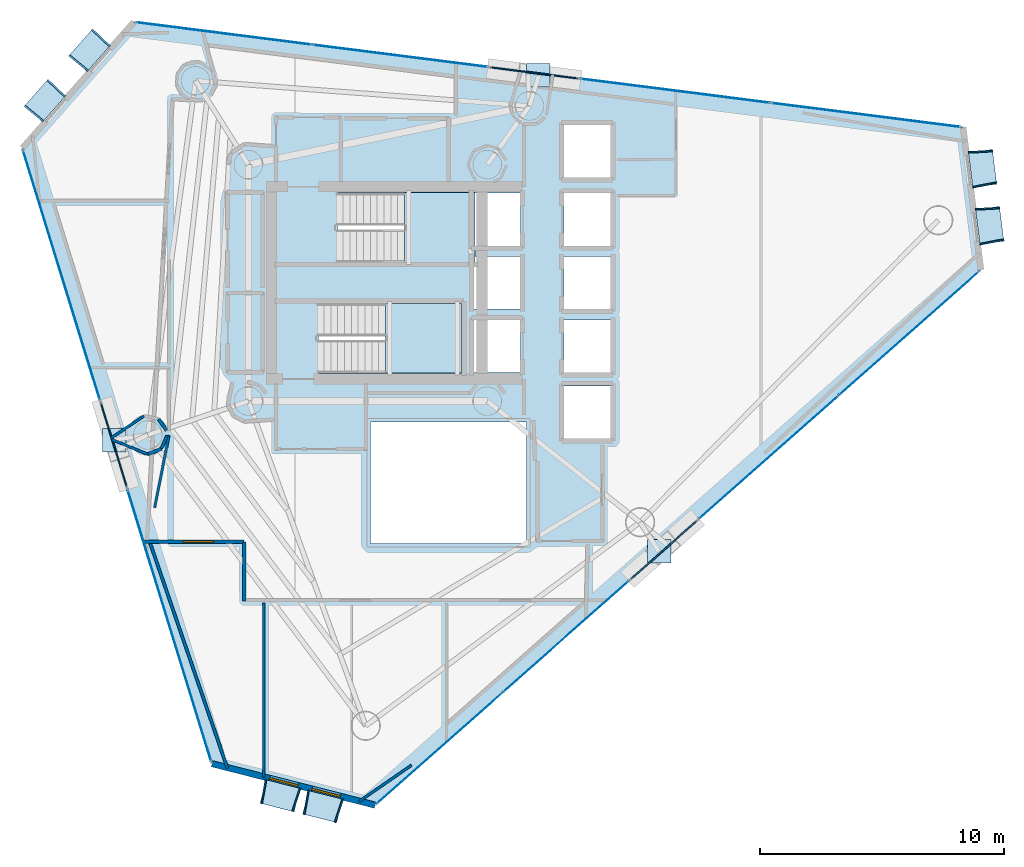
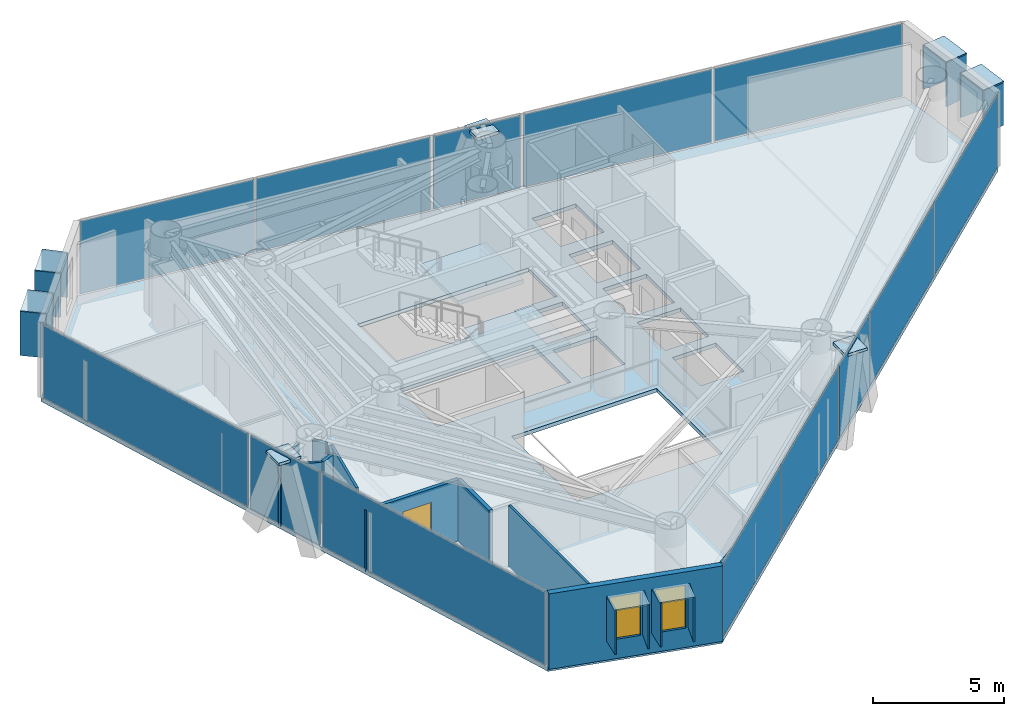
# One storey, part 17 of 23: 34 plates, 12 walls, 3 slabs, 2 windows, 1 door, 3 openings, 11 elements without a shape of their own.
"""IFC4 building model written with IfcOpenShell, lengths in metres."""

from ifc_helpers import new_model, si_unit, direction, frame, frame_2d, origin, origin_2d, place, context, subcontext, project, spatial, polyline, rectangle, outline, extrude, material, layer, layer_set, type_object, element, fill, aggregate, save


model = new_model("IFC4")

# Units and contexts
model_context = context("Model", 3, precision=1e-05, world=origin(), true_north=direction((0.0, 1.0)))
body_context = subcontext(model_context, "Body", "Model", "MODEL_VIEW")
ifc_project = project(units=[si_unit("LENGTHUNIT", "METRE"), si_unit("AREAUNIT", "SQUARE_METRE"), si_unit("VOLUMEUNIT", "CUBIC_METRE"), si_unit("PLANEANGLEUNIT", "RADIAN"), si_unit("MASSUNIT", "GRAM", prefix="KILO")], contexts=[model_context])

# Site, building, storey
site_placement = place(None, origin())
site = spatial("IfcSite", under=ifc_project, at=site_placement, CompositionType="ELEMENT")
building_placement = place(site_placement, origin())
building = spatial("IfcBuilding", under=site, at=building_placement, Name="Qianvela Tower", CompositionType="ELEMENT")
storey_placement = place(building_placement, frame((0.0, 0.0, 218.800048828125)))
storey = spatial("IfcBuildingStorey", under=building, at=storey_placement, Name="L56", CompositionType="ELEMENT", Elevation=218.800048828125)

# Curtain wall, plate
ifc_material_1 = material(Name="Anodised Architectural Aluminium and Insulated Spandrel Panel", Category="aluminium")
ifc_layer_1 = layer(ifc_material_1, 0.179931640625)
ifc_layer_set_1 = layer_set([ifc_layer_1], Name="Anodised Architectural Aluminium and Insulated Spandrel Panel")
curtain_wall_type_1 = type_object("IfcCurtainWallType", Name="CW-BRACEBAY", PredefinedType="USERDEFINED", material=ifc_layer_set_1)
curtain_wall_1_placement = place(storey_placement, origin())
curtain_wall_1 = element("IfcCurtainWall", 1, at=curtain_wall_1_placement, inside=storey, type_object=curtain_wall_type_1, Name="L56 CW-BRACEBAY Curtain Wall 02B", ObjectType="CURTAIN_WALL_SYSTEM", PredefinedType="USERDEFINED")
ifc_material_2 = material(Name="Insulated Aluminium Spandrel Panel with Mineral-Wool Backpan", Category="aluminium")
ifc_layer_2 = layer(ifc_material_2, 0.06005859375)
ifc_layer_set_2 = layer_set([ifc_layer_2], Name="Insulated Aluminium Spandrel Panel with Mineral-Wool Backpan")
plate_type_1 = type_object("IfcPlateType", Name="CW-BRACEBAY-PNL", PredefinedType="CURTAIN_PANEL", material=ifc_layer_set_2)
plate_1_placement = place(storey_placement, frame((40.323974609375, 37.312744140625, 0.06494140625), z_axis=(0.0, 0.0, 1.0), x_axis=(-0.992043086313, 0.125898828027, 0.0)))
plate_1 = element("IfcPlate", 2, at=plate_1_placement, type_object=plate_type_1, Name="CW-9 panel 1.1", PredefinedType="CURTAIN_PANEL", context=body_context, shape_type="SweptSolid", body=[
    extrude(rectangle(XDim=3.60009765625, YDim=0.06005859375, at=origin_2d()), origin(), (0.0, 0.0, 1.0), 3.389892578125),
])
aggregate(curtain_wall_1, [plate_1])

curtain_wall_2_placement = place(storey_placement, origin())
curtain_wall_2 = element("IfcCurtainWall", 3, at=curtain_wall_2_placement, inside=storey, type_object=curtain_wall_type_1, Name="L56 CW-BRACEBAY Curtain Wall 04B", ObjectType="CURTAIN_WALL_SYSTEM", PredefinedType="USERDEFINED")
plate_2_placement = place(storey_placement, frame((23.078369140625, 22.0517578125, 0.06494140625), z_axis=(0.0, 0.0, 1.0), x_axis=(0.29436579712, -0.955692825905, 0.0)))
plate_2 = element("IfcPlate", 4, at=plate_2_placement, type_object=plate_type_1, Name="CW-9 panel 1.1", PredefinedType="CURTAIN_PANEL", context=body_context, shape_type="SweptSolid", body=[
    extrude(rectangle(XDim=3.60986328125, YDim=0.06005859375, at=origin_2d()), origin(), (0.0, 0.0, 1.0), 3.389892578125),
])
aggregate(curtain_wall_2, [plate_2])

curtain_wall_3_placement = place(storey_placement, origin())
curtain_wall_3 = element("IfcCurtainWall", 5, at=curtain_wall_3_placement, inside=storey, type_object=curtain_wall_type_1, Name="L56 CW-BRACEBAY Curtain Wall 06B", ObjectType="CURTAIN_WALL_SYSTEM", PredefinedType="USERDEFINED")
plate_3_placement = place(storey_placement, frame((45.641845703125, 17.74365234375, 0.06494140625), z_axis=(0.0, 0.0, 1.0), x_axis=(0.749269533703, 0.662265177904, 0.0)))
plate_3 = element("IfcPlate", 6, at=plate_3_placement, type_object=plate_type_1, Name="CW-9 panel 1.1", PredefinedType="CURTAIN_PANEL", context=body_context, shape_type="SweptSolid", body=[
    extrude(rectangle(XDim=3.610107421875, YDim=0.06005859375, at=origin_2d()), origin(), (0.0, 0.0, 1.0), 3.389892578125),
])
aggregate(curtain_wall_3, [plate_3])

# Curtain wall, plates
ifc_material_3 = material(Name="Anodised Architectural Aluminium and Low-E Glass", Category="aluminium")
ifc_layer_3 = layer(ifc_material_3, 0.159912109375)
ifc_layer_set_3 = layer_set([ifc_layer_3], Name="Anodised Architectural Aluminium and Low-E Glass")
curtain_wall_type_2 = type_object("IfcCurtainWallType", Name="CW-COLIV-Z56", PredefinedType="USERDEFINED", material=ifc_layer_set_3)
curtain_wall_4_placement = place(storey_placement, origin())
curtain_wall_4 = element("IfcCurtainWall", 7, at=curtain_wall_4_placement, inside=storey, type_object=curtain_wall_type_2, Name="L56 CW-COLIV-Z56 Curtain Wall 02A", ObjectType="CURTAIN_WALL_SYSTEM", PredefinedType="USERDEFINED")
ifc_material_4 = material(Name="Double-Silver Low-E Insulated Glass", Category="glass")
ifc_layer_4 = layer(ifc_material_4, 0.028076171875)
ifc_layer_set_4 = layer_set([ifc_layer_4], Name="Double-Silver Low-E Insulated Glass")
plate_type_2 = type_object("IfcPlateType", Name="CW-COLIV-Z56-PNL", PredefinedType="CURTAIN_PANEL", material=ifc_layer_set_4)
plate_4_placement = place(storey_placement, frame((53.9287109375, 35.586181640625, 0.06005859375), z_axis=(0.0, 0.0, 1.0), x_axis=(-0.992042428774, 0.125904009122, 0.0)))
plate_4 = element("IfcPlate", 8, at=plate_4_placement, type_object=plate_type_2, Name="CW-5 panel 1.1", PredefinedType="CURTAIN_PANEL", context=body_context, shape_type="SweptSolid", body=[
    extrude(rectangle(XDim=7.8125, YDim=0.028076171875, at=origin_2d()), origin(), (0.0, 0.0, 1.0), 3.39990234375),
])
plate_5_placement = place(storey_placement, frame((46.11376953125, 36.577880859375, 0.06005859375), z_axis=(0.0, 0.0, 1.0), x_axis=(-0.992042428774, 0.125904009122, 0.0)))
plate_5 = element("IfcPlate", 9, at=plate_5_placement, type_object=plate_type_2, Name="CW-5 panel 2.1", PredefinedType="CURTAIN_PANEL", context=body_context, shape_type="SweptSolid", body=[
    extrude(rectangle(XDim=7.8125, YDim=0.028076171875, at=origin_2d()), origin(), (0.0, 0.0, 1.0), 3.39990234375),
])
aggregate(curtain_wall_4, [plate_4, plate_5])

curtain_wall_5_placement = place(storey_placement, origin())
curtain_wall_5 = element("IfcCurtainWall", 10, at=curtain_wall_5_placement, inside=storey, type_object=curtain_wall_type_2, Name="L56 CW-COLIV-Z56 Curtain Wall 02C", ObjectType="CURTAIN_WALL_SYSTEM", PredefinedType="USERDEFINED")
plate_6_placement = place(storey_placement, frame((34.826904296875, 38.01025390625, 0.06005859375), z_axis=(0.0, 0.0, 1.0), x_axis=(-0.992042615234, 0.125902539925, 0.0)))
plate_6 = element("IfcPlate", 11, at=plate_6_placement, type_object=plate_type_2, Name="CW-5 panel 1.1", PredefinedType="CURTAIN_PANEL", context=body_context, shape_type="SweptSolid", body=[
    extrude(rectangle(XDim=7.222412109375, YDim=0.028076171875, at=origin_2d()), origin(), (0.0, 0.0, 1.0), 3.39990234375),
])
plate_7_placement = place(storey_placement, frame((27.597412109375, 38.927734375, 0.06005859375), z_axis=(0.0, 0.0, 1.0), x_axis=(-0.992042615234, 0.125902539925, 0.0)))
plate_7 = element("IfcPlate", 12, at=plate_7_placement, type_object=plate_type_2, Name="CW-5 panel 2.1", PredefinedType="CURTAIN_PANEL", context=body_context, shape_type="SweptSolid", body=[
    extrude(rectangle(XDim=7.222412109375, YDim=0.028076171875, at=origin_2d()), origin(), (0.0, 0.0, 1.0), 3.39990234375),
])
aggregate(curtain_wall_5, [plate_6, plate_7])

# Curtain wall, plate
curtain_wall_6_placement = place(storey_placement, origin())
curtain_wall_6 = element("IfcCurtainWall", 13, at=curtain_wall_6_placement, inside=storey, type_object=curtain_wall_type_2, Name="L56 CW-COLIV-Z56 Curtain Wall 04A", ObjectType="CURTAIN_WALL_SYSTEM", PredefinedType="USERDEFINED")
plate_8_placement = place(storey_placement, frame((20.935302734375, 29.00927734375, 0.06005859375), z_axis=(0.0, 0.0, 1.0), x_axis=(0.294379384056, -0.955688640846, 0.0)))
plate_8 = element("IfcPlate", 14, at=plate_8_placement, type_object=plate_type_2, Name="CW-5 panel 1.1", PredefinedType="CURTAIN_PANEL", context=body_context, shape_type="SweptSolid", body=[
    extrude(rectangle(XDim=10.68994140625, YDim=0.028076171875, at=origin_2d()), origin(), (0.0, 0.0, 1.0), 3.39990234375),
])
aggregate(curtain_wall_6, [plate_8])

curtain_wall_7_placement = place(storey_placement, origin())
curtain_wall_7 = element("IfcCurtainWall", 15, at=curtain_wall_7_placement, inside=storey, type_object=curtain_wall_type_2, Name="L56 CW-COLIV-Z56 Curtain Wall 04C", ObjectType="CURTAIN_WALL_SYSTEM", PredefinedType="USERDEFINED")
plate_9_placement = place(storey_placement, frame((25.3603515625, 14.643310546875, 0.06005859375), z_axis=(0.0, 0.0, 1.0), x_axis=(0.294376732083, -0.955689457726, 0.0)))
plate_9 = element("IfcPlate", 16, at=plate_9_placement, type_object=plate_type_2, Name="CW-5 panel 1.1", PredefinedType="CURTAIN_PANEL", context=body_context, shape_type="SweptSolid", body=[
    extrude(rectangle(XDim=11.63427734375, YDim=0.028076171875, at=origin_2d()), origin(), (0.0, 0.0, 1.0), 3.39990234375),
])
aggregate(curtain_wall_7, [plate_9])

# Curtain wall, plates
curtain_wall_8_placement = place(storey_placement, origin())
curtain_wall_8 = element("IfcCurtainWall", 17, at=curtain_wall_8_placement, inside=storey, type_object=curtain_wall_type_2, Name="L56 CW-COLIV-Z56 Curtain Wall 06A", ObjectType="CURTAIN_WALL_SYSTEM", PredefinedType="USERDEFINED")
plate_10_placement = place(storey_placement, frame((36.447265625, 9.61669921875, 0.06005859375), z_axis=(0.0, 0.0, 1.0), x_axis=(0.749266523819, 0.662268583192, 0.0)))
plate_10 = element("IfcPlate", 18, at=plate_10_placement, type_object=plate_type_2, Name="CW-5 panel 1.1", PredefinedType="CURTAIN_PANEL", context=body_context, shape_type="SweptSolid", body=[
    extrude(rectangle(XDim=6.847412109375, YDim=0.028076171875, at=origin_2d()), origin(), (0.0, 0.0, 1.0), 3.39990234375),
])
plate_11_placement = place(storey_placement, frame((41.626708984375, 14.19482421875, 0.06005859375), z_axis=(0.0, 0.0, 1.0), x_axis=(0.749266523819, 0.662268583192, 0.0)))
plate_11 = element("IfcPlate", 19, at=plate_11_placement, type_object=plate_type_2, Name="CW-5 panel 2.1", PredefinedType="CURTAIN_PANEL", context=body_context, shape_type="SweptSolid", body=[
    extrude(rectangle(XDim=6.847412109375, YDim=0.028076171875, at=origin_2d()), origin(), (0.0, 0.0, 1.0), 3.39990234375),
])
aggregate(curtain_wall_8, [plate_10, plate_11])

curtain_wall_9_placement = place(storey_placement, origin())
curtain_wall_9 = element("IfcCurtainWall", 20, at=curtain_wall_9_placement, inside=storey, type_object=curtain_wall_type_2, Name="L56 CW-COLIV-Z56 Curtain Wall 06C", ObjectType="CURTAIN_WALL_SYSTEM", PredefinedType="USERDEFINED")
plate_12_placement = place(storey_placement, frame((49.9462890625, 21.54833984375, 0.06005859375), z_axis=(0.0, 0.0, 1.0), x_axis=(0.749266206508, 0.662268942187, 0.0)))
plate_12 = element("IfcPlate", 21, at=plate_12_placement, type_object=plate_type_2, Name="CW-5 panel 1.1", PredefinedType="CURTAIN_PANEL", context=body_context, shape_type="SweptSolid", body=[
    extrude(rectangle(XDim=7.619873046875, YDim=0.028076171875, at=origin_2d()), origin(), (0.0, 0.0, 1.0), 3.39990234375),
])
plate_13_placement = place(storey_placement, frame((55.704345703125, 26.637939453125, 0.06005859375), z_axis=(0.0, 0.0, 1.0), x_axis=(0.749266206508, 0.662268942187, 0.0)))
plate_13 = element("IfcPlate", 22, at=plate_13_placement, type_object=plate_type_2, Name="CW-5 panel 2.1", PredefinedType="CURTAIN_PANEL", context=body_context, shape_type="SweptSolid", body=[
    extrude(rectangle(XDim=7.619873046875, YDim=0.028076171875, at=origin_2d()), origin(), (0.0, 0.0, 1.0), 3.39990234375),
])
aggregate(curtain_wall_9, [plate_12, plate_13])

# Plates
ifc_material_5 = material(Name="Steel Q420GJC", Category="steel")
ifc_layer_5 = layer(ifc_material_5, 0.1298828125)
ifc_layer_set_5 = layer_set([ifc_layer_5], Name="Steel Q420GJC")
plate_type_3 = type_object("IfcPlateType", Name="PT-ENDCAP-130", PredefinedType="USERDEFINED", material=ifc_layer_set_5)
for number, where, z_axis, x_axis, name in (
    (23, (40.4912109375, 37.2109375, 3.20947265625), (0.0, 0.0, 1.0), (1.0, 0.0, 0.0), "L56 Hollow Section End Cap Plate B"),
    (24, (23.10205078125, 22.246826171875, 3.20947265625), (0.0, 0.0, 1.0), (1.0, 0.0, 0.0), "L56 Hollow Section End Cap Plate B"),
    (25, (45.45751953125, 17.6875, 3.20947265625), (0.0, 0.0, 1.0), (1.0, 0.0, 0.0), "L56 Hollow Section End Cap Plate B"),
):
    element("IfcPlate", number, at=place(storey_placement, frame(where, z_axis=z_axis, x_axis=x_axis)), inside=storey, type_object=plate_type_3, Name=name, ObjectType="END_CAP", PredefinedType="USERDEFINED", context=body_context, shape_type="SweptSolid", body=[
        extrude(rectangle(XDim=0.969970703125, YDim=0.969970703125, at=origin_2d()), origin(), (0.0, 0.0, 1.0), 0.1298828125),
    ])

# Slab
ifc_material_6 = material(Name="Concrete C40", Category="concrete")
ifc_layer_6 = layer(ifc_material_6, 0.179931640625)
ifc_layer_set_6 = layer_set([ifc_layer_6], Name="Concrete C40")
slab_type_1 = type_object("IfcSlabType", Name="SL-FLOOR-180", PredefinedType="FLOOR", material=ifc_layer_set_6)
slab_1_placement = place(storey_placement, frame((0.0, 0.0, -0.179931640625)))
element("IfcSlab", 26, at=slab_1_placement, inside=storey, type_object=slab_type_1, Name="L56 Composite Structural Floor Slab", PredefinedType="FLOOR", context=body_context, shape_type="SweptSolid", body=[
    extrude(outline(polyline([(58.645263671875, 29.2373046875), (57.91796875, 35.079833984375), (23.90087890625, 39.39697265625), (19.328125, 34.227294921875), (27.106689453125, 8.97412109375), (33.7958984375, 7.273193359375), (58.645263671875, 29.2373046875)]), holes=[polyline([(40.0, 23.0), (33.60009765625, 23.0), (33.60009765625, 18.0), (40.0, 18.0), (40.0, 23.0)]), polyline([(39.760009765625, 27.179931640625), (37.840087890625, 27.179931640625), (37.840087890625, 25.02001953125), (39.760009765625, 25.02001953125), (39.760009765625, 27.179931640625)]), polyline([(37.35009765625, 27.860107421875), (31.469970703125, 27.860107421875), (31.469970703125, 25.0), (37.35009765625, 25.0), (37.35009765625, 27.860107421875)]), polyline([(37.840087890625, 27.6201171875), (39.760009765625, 27.6201171875), (39.760009765625, 29.780029296875), (37.89990234375, 29.780029296875), (37.89990234375, 30.219970703125), (39.760009765625, 30.219970703125), (39.760009765625, 32.3798828125), (37.89990234375, 32.3798828125), (37.89990234375, 32.39990234375), (32.25, 32.39990234375), (32.25, 29.5400390625), (37.840087890625, 29.5400390625), (37.840087890625, 27.6201171875)]), polyline([(43.4599609375, 22.320068359375), (43.4599609375, 24.47998046875), (41.5400390625, 24.47998046875), (41.5400390625, 22.320068359375), (43.4599609375, 22.320068359375)]), polyline([(43.4599609375, 25.02001953125), (43.4599609375, 27.179931640625), (41.5400390625, 27.179931640625), (41.5400390625, 25.02001953125), (43.4599609375, 25.02001953125)]), polyline([(43.4599609375, 29.780029296875), (41.5400390625, 29.780029296875), (41.5400390625, 27.6201171875), (43.4599609375, 27.6201171875), (43.4599609375, 29.780029296875)]), polyline([(43.4599609375, 30.219970703125), (43.4599609375, 32.3798828125), (41.5400390625, 32.3798828125), (41.5400390625, 30.219970703125), (43.4599609375, 30.219970703125)]), polyline([(43.4599609375, 33.02001953125), (43.4599609375, 35.179931640625), (41.5400390625, 35.179931640625), (41.5400390625, 33.02001953125), (43.4599609375, 33.02001953125)])]), origin(), (0.0, 0.0, 1.0), 0.179931640625),
])

# Stair, slab
ifc_material_7 = material(Name="Concrete C40", Category="concrete")
stair_type = type_object("IfcStairType", Name="ST-DOGLEG-1350-R168-N22", PredefinedType="HALF_TURN_STAIR", material=ifc_material_7)
stair_1_placement = place(storey_placement, origin())
stair_1 = element("IfcStair", 27, at=stair_1_placement, inside=storey, type_object=stair_type, Name="L56 Smoke-Proof Core Stair ST-1", PredefinedType="HALF_TURN_STAIR")
ifc_material_8 = material(Name="Concrete C40", Category="concrete")
ifc_layer_7 = layer(ifc_material_8, 0.199951171875)
ifc_layer_set_7 = layer_set([ifc_layer_7], Name="Concrete C40")
slab_type_2 = type_object("IfcSlabType", Name="SL-STAIR-LANDING-200", PredefinedType="LANDING", material=ifc_layer_set_7)
slab_2_placement = place(storey_placement, frame((0.0, 0.0, 1.64990234375)))
slab_2 = element("IfcSlab", 28, at=slab_2_placement, type_object=slab_type_2, Name="ST-1 landing 1", PredefinedType="LANDING", context=body_context, shape_type="SweptSolid", body=[
    extrude(outline(polyline([(35.0, 29.5400390625), (37.89990234375, 29.5400390625), (37.89990234375, 32.39990234375), (35.0, 32.39990234375), (35.0, 29.5400390625)])), origin(), (0.0, 0.0, 1.0), 0.199951171875),
])
aggregate(stair_1, [slab_2])

stair_2_placement = place(storey_placement, origin())
stair_2 = element("IfcStair", 29, at=stair_2_placement, inside=storey, type_object=stair_type, Name="L56 Smoke-Proof Core Stair ST-2", PredefinedType="HALF_TURN_STAIR")
slab_3_placement = place(storey_placement, frame((0.0, 0.0, 1.64990234375)))
slab_3 = element("IfcSlab", 30, at=slab_3_placement, type_object=slab_type_2, Name="ST-2 landing 1", PredefinedType="LANDING", context=body_context, shape_type="SweptSolid", body=[
    extrude(outline(polyline([(34.219970703125, 25.0), (37.35009765625, 25.0), (37.35009765625, 27.860107421875), (34.219970703125, 27.860107421875), (34.219970703125, 25.0)])), origin(), (0.0, 0.0, 1.0), 0.199951171875),
])
aggregate(stair_2, [slab_3])

# Plates
ifc_material_9 = material(Name="Vitrified Architectural Terracotta Panel", Category="masonry")
ifc_layer_8 = layer(ifc_material_9, 0.06005859375)
ifc_layer_set_8 = layer_set([ifc_layer_8], Name="Vitrified Architectural Terracotta Panel")
plate_type_4 = type_object("IfcPlateType", Name="TERRACOTTA-SUNSHADE-HOOD-FOLD-A", PredefinedType="USERDEFINED", material=ifc_layer_set_8)
for number, where, z_axis, x_axis, name in (
    (31, (59.007568359375, 31.062255859375, 2.909912109375), (0.0, 0.0, 1.0), (-0.123547786235, 0.992338623916, 0.0), "L56 Terracotta Sunshade Hood FOLD-A"),
    (32, (58.716552734375, 33.3994140625, 2.909912109375), (0.0, 0.0, 1.0), (-0.123547786235, 0.992338623916, 0.0), "L56 Terracotta Sunshade Hood FOLD-A"),
    (33, (29.899658203125, 7.66015625, 2.909912109375), (0.0, 0.0, 1.0), (0.969162132949, -0.246423943757, 0.0), "L56 Terracotta Sunshade Hood FOLD-A"),
    (34, (31.64501953125, 7.216552734375, 2.909912109375), (0.0, 0.0, 1.0), (0.969162132949, -0.246423943757, 0.0), "L56 Terracotta Sunshade Hood FOLD-A"),
):
    element("IfcPlate", number, at=place(storey_placement, frame(where, z_axis=z_axis, x_axis=x_axis)), inside=storey, type_object=plate_type_4, Name=name, ObjectType="SUNSHADE", PredefinedType="USERDEFINED", context=body_context, shape_type="SweptSolid", body=[
        extrude(rectangle(XDim=1.43994140625, YDim=0.989990234375, at=origin_2d()), origin(), (0.0, 0.0, 1.0), 0.06005859375),
    ])
ifc_material_10 = material(Name="Vitrified Architectural Terracotta Panel", Category="masonry")
ifc_layer_9 = layer(ifc_material_10, 0.070068359375)
ifc_layer_set_9 = layer_set([ifc_layer_9], Name="Vitrified Architectural Terracotta Panel")
plate_type_5 = type_object("IfcPlateType", Name="TERRACOTTA-SUNSHADE-HOOD-FOLD-C", PredefinedType="USERDEFINED", material=ifc_layer_set_9)
for number, where, z_axis, x_axis, name in (
    (35, (22.0908203125, 38.233642578125, 2.909912109375), (0.0, 0.0, 1.0), (-0.662541614123, -0.749025106091, 0.0), "L56 Terracotta Sunshade Hood FOLD-C"),
    (36, (20.26171875, 36.165771484375, 2.909912109375), (0.0, 0.0, 1.0), (-0.662541614123, -0.749025106091, 0.0), "L56 Terracotta Sunshade Hood FOLD-C"),
):
    element("IfcPlate", number, at=place(storey_placement, frame(where, z_axis=z_axis, x_axis=x_axis)), inside=storey, type_object=plate_type_5, Name=name, ObjectType="SUNSHADE", PredefinedType="USERDEFINED", context=body_context, shape_type="SweptSolid", body=[
        extrude(rectangle(XDim=1.43994140625, YDim=0.989990234375, at=origin_2d()), origin(), (0.0, 0.0, 1.0), 0.06005859375),
    ])
ifc_material_11 = material(Name="Vitrified Architectural Terracotta Side Fin Panel", Category="masonry")
ifc_layer_10 = layer(ifc_material_11, 0.06494140625)
ifc_layer_set_10 = layer_set([ifc_layer_10], Name="Vitrified Architectural Terracotta Side Fin Panel")
plate_type_6 = type_object("IfcPlateType", Name="TERRACOTTA-SUNSHADE-STRUT-FOLD-A", PredefinedType="USERDEFINED", material=ifc_layer_set_10)
for number, where, z_axis, x_axis, name in (
    (37, (59.0927734375, 30.377685546875, 0.89990234375), (0.0, 0.0, 1.0), (-0.192468873202, 0.981303078997, 0.0), "L56 Terracotta Sunshade Side Fin HL FOLD-A"),
    (38, (58.92236328125, 31.7470703125, 0.89990234375), (0.0, 0.0, 1.0), (-0.054024786873, 0.99853959481, 0.0), "L56 Terracotta Sunshade Side Fin HR FOLD-A"),
    (39, (58.802001953125, 32.714599609375, 0.89990234375), (0.0, 0.0, 1.0), (-0.192468873202, 0.981303078997, 0.0), "L56 Terracotta Sunshade Side Fin HL FOLD-A"),
    (40, (58.63134765625, 34.083984375, 0.89990234375), (0.0, 0.0, 1.0), (-0.054024786873, 0.99853959481, 0.0), "L56 Terracotta Sunshade Side Fin HR FOLD-A"),
    (41, (29.23095703125, 7.830322265625, 0.89990234375), (0.0, 0.0, 1.0), (0.983990968066, -0.178218334534, 0.0), "L56 Terracotta Sunshade Side Fin HL FOLD-A"),
    (42, (30.568359375, 7.490234375, 0.89990234375), (0.0, 0.0, 1.0), (0.949611637341, -0.313429000296, 0.0), "L56 Terracotta Sunshade Side Fin HR FOLD-A"),
    (43, (30.976318359375, 7.386474609375, 0.89990234375), (0.0, 0.0, 1.0), (0.983990968066, -0.178218334534, 0.0), "L56 Terracotta Sunshade Side Fin HL FOLD-A"),
    (44, (32.313720703125, 7.04638671875, 0.89990234375), (0.0, 0.0, 1.0), (0.949611637341, -0.313429000296, 0.0), "L56 Terracotta Sunshade Side Fin HR FOLD-A"),
):
    element("IfcPlate", number, at=place(storey_placement, frame(where, z_axis=z_axis, x_axis=x_axis)), inside=storey, type_object=plate_type_6, Name=name, ObjectType="SUNSHADE", PredefinedType="USERDEFINED", context=body_context, shape_type="SweptSolid", body=[
        extrude(rectangle(XDim=0.06494140625, YDim=1.010009765625, at=origin_2d()), origin(), (0.0, 0.0, 1.0), 2.06005859375),
    ])
ifc_material_12 = material(Name="Vitrified Architectural Terracotta Side Fin Panel", Category="masonry")
ifc_layer_11 = layer(ifc_material_12, 0.074951171875)
ifc_layer_set_11 = layer_set([ifc_layer_11], Name="Vitrified Architectural Terracotta Side Fin Panel")
plate_type_7 = type_object("IfcPlateType", Name="TERRACOTTA-SUNSHADE-STRUT-FOLD-C", PredefinedType="USERDEFINED", material=ifc_layer_set_11)
for number, where, z_axis, x_axis, name in (
    (45, (22.548095703125, 38.75048828125, 0.89990234375), (0.0, 0.0, 1.0), (-0.688278610893, -0.725446451357, 0.0), "L56 Terracotta Sunshade Side Fin HL FOLD-C"),
    (46, (21.6337890625, 37.716796875, 0.89990234375), (0.0, 0.0, 1.0), (-0.635997412453, -0.771691189112, 0.0), "L56 Terracotta Sunshade Side Fin HR FOLD-C"),
    (47, (20.718994140625, 36.6826171875, 0.89990234375), (0.0, 0.0, 1.0), (-0.688278610893, -0.725446451357, 0.0), "L56 Terracotta Sunshade Side Fin HL FOLD-C"),
    (48, (19.8046875, 35.64892578125, 0.89990234375), (0.0, 0.0, 1.0), (-0.635997412453, -0.771691189112, 0.0), "L56 Terracotta Sunshade Side Fin HR FOLD-C"),
):
    element("IfcPlate", number, at=place(storey_placement, frame(where, z_axis=z_axis, x_axis=x_axis)), inside=storey, type_object=plate_type_7, Name=name, ObjectType="SUNSHADE", PredefinedType="USERDEFINED", context=body_context, shape_type="SweptSolid", body=[
        extrude(rectangle(XDim=0.074951171875, YDim=1.010009765625, at=origin_2d()), origin(), (0.0, 0.0, 1.0), 2.06005859375),
    ])

# Wall, openings, windows
ifc_material_13 = material(Name="Terracotta Cladding on Concrete C40", Category="masonry")
ifc_layer_12 = layer(ifc_material_13, 0.260009765625)
ifc_layer_set_12 = layer_set([ifc_layer_12], Name="Terracotta Cladding on Concrete C40")
wall_type_1 = type_object("IfcWallType", Name="TERRACOTTA-WALL-260", PredefinedType="SOLIDWALL", material=ifc_layer_set_12)
wall_1_placement = place(storey_placement, frame((27.106689453125, 8.97412109375, 0.0), z_axis=(0.0, 0.0, 1.0), x_axis=(0.969158794911, -0.246437071577, 0.0)))
wall_1 = element("IfcWall", 49, at=wall_1_placement, inside=storey, type_object=wall_type_1, Name="L56 Terracotta Chamfer Facet Wall 5", PredefinedType="SOLIDWALL", context=body_context, shape_type="SweptSolid", body=[
    extrude(rectangle(XDim=6.902099609375, YDim=0.260009765625, at=frame_2d((3.451171875, 0.0))), origin(), (0.0, 0.0, 1.0), 3.52001953125),
])
opening_1_placement = place(wall_1_placement, frame((2.4306640625, 0.0, 0.89990234375)))
opening_1 = element("IfcOpeningElement", 50, at=opening_1_placement, cuts=wall_1, Name="Opening W-03", PredefinedType="OPENING", context=body_context, shape_type="SweptSolid", body=[
    extrude(rectangle(XDim=1.199951171875, YDim=2.0, at=frame_2d((0.60009765625, 1.0))), frame((0.0, 0.139892578125, 0.0), z_axis=(0.0, -1.0, 0.0), x_axis=(1.0, 0.0, 0.0)), (0.0, 0.0, 1.0), 0.280029296875),
])
opening_2_placement = place(wall_1_placement, frame((4.2314453125, 0.0, 0.89990234375)))
opening_2 = element("IfcOpeningElement", 51, at=opening_2_placement, cuts=wall_1, Name="Opening W-03", PredefinedType="OPENING", context=body_context, shape_type="SweptSolid", body=[
    extrude(rectangle(XDim=1.199951171875, YDim=2.0, at=frame_2d((0.60009765625, 1.0))), frame((0.0, 0.139892578125, 0.0), z_axis=(0.0, -1.0, 0.0), x_axis=(1.0, 0.0, 0.0)), (0.0, 0.0, 1.0), 0.280029296875),
])
ifc_material_14 = material(Name="Thermally Broken Aluminium and Low-E Glass", Category="aluminium")
window_type = type_object("IfcWindowType", Name="WIN-TC-1200x2000", PartitioningType="SINGLE_PANEL", PredefinedType="WINDOW", material=ifc_material_14)
window_1_placement = place(opening_1_placement, origin())
window_1 = element("IfcWindow", 52, at=window_1_placement, inside=storey, type_object=window_type, Name="L56 Chamfer Facet Window 5.1", OverallHeight=2.0, OverallWidth=1.199951171875, PartitioningType="SINGLE_PANEL", PredefinedType="WINDOW", context=body_context, shape_type="SweptSolid", body=[
    extrude(rectangle(XDim=1.199951171875, YDim=2.0, at=frame_2d((0.60009765625, 1.0))), frame((0.0, 0.030029296875, 0.0), z_axis=(0.0, -1.0, 0.0), x_axis=(1.0, 0.0, 0.0)), (0.0, 0.0, 1.0), 0.06005859375),
])
fill(opening_1, window_1)
window_2_placement = place(opening_2_placement, origin())
window_2 = element("IfcWindow", 53, at=window_2_placement, inside=storey, type_object=window_type, Name="L56 Chamfer Facet Window 5.2", OverallHeight=2.0, OverallWidth=1.199951171875, PartitioningType="SINGLE_PANEL", PredefinedType="WINDOW", context=body_context, shape_type="SweptSolid", body=[
    extrude(rectangle(XDim=1.199951171875, YDim=2.0, at=frame_2d((0.60009765625, 1.0))), frame((0.0, 0.030029296875, 0.0), z_axis=(0.0, -1.0, 0.0), x_axis=(1.0, 0.0, 0.0)), (0.0, 0.0, 1.0), 0.06005859375),
])
fill(opening_2, window_2)

# Wall
ifc_material_15 = material(Name="Fire-Rated Gypsum and Concrete Block", Category="concrete")
ifc_layer_13 = layer(ifc_material_15, 0.159912109375)
ifc_layer_set_13 = layer_set([ifc_layer_13], Name="Fire-Rated Gypsum and Concrete Block")
wall_type_2 = type_object("IfcWallType", Name="WT-CORR-160", PredefinedType="PARTITIONING", material=ifc_layer_set_13)
wall_2_placement = place(storey_placement, frame((28.430908203125, 15.64990234375, 0.0), z_axis=(0.0, 0.0, 1.0), x_axis=(0.0, 1.0, 0.0)))
element("IfcWall", 54, at=wall_2_placement, inside=storey, type_object=wall_type_2, Name="L56 Partition 70", PredefinedType="PARTITIONING", context=body_context, shape_type="SweptSolid", body=[
    extrude(rectangle(XDim=2.400146484375, YDim=0.159912109375, at=frame_2d((1.2001953125, 0.0))), origin(), (0.0, 0.0, 1.0), 2.83984375),
])

# Wall, opening, door
wall_3_placement = place(storey_placement, frame((28.39990234375, 18.0810546875, 0.0), z_axis=(0.0, 0.0, 1.0), x_axis=(-1.0, 0.0, 0.0)))
wall_3 = element("IfcWall", 55, at=wall_3_placement, inside=storey, type_object=wall_type_2, Name="L56 Partition 71", PredefinedType="PARTITIONING", context=body_context, shape_type="SweptSolid", body=[
    extrude(rectangle(XDim=4.118408203125, YDim=0.159912109375, at=frame_2d((2.05908203125, 0.0))), origin(), (0.0, 0.0, 1.0), 2.83984375),
])
opening_3_placement = place(wall_3_placement, frame((1.22509765625, 0.0, 0.0)))
opening_3 = element("IfcOpeningElement", 56, at=opening_3_placement, cuts=wall_3, Name="Opening D-LG1", PredefinedType="OPENING", context=body_context, shape_type="SweptSolid", body=[
    extrude(rectangle(XDim=1.25, YDim=2.199951171875, at=frame_2d((0.625, 1.10009765625))), frame((0.0, 0.08984375, 0.0), z_axis=(0.0, -1.0, 0.0), x_axis=(1.0, 0.0, 0.0)), (0.0, 0.0, 1.0), 0.179931640625),
])
ifc_material_16 = material(Name="Anodised Aluminium Acoustic Glass Door", Category="aluminium")
door_type = type_object("IfcDoorType", Name="DT-LOUNGE-1250", OperationType="NOTDEFINED", PredefinedType="DOOR", material=ifc_material_16)
door_placement = place(opening_3_placement, origin())
door = element("IfcDoor", 57, at=door_placement, inside=storey, type_object=door_type, Name="L56 Door Digital Research Office L56-01 to L56 Floor Corridor", OperationType="SINGLE_SWING_LEFT", OverallHeight=2.199951171875, OverallWidth=1.25, PredefinedType="DOOR", context=body_context, shape_type="SweptSolid", body=[
    extrude(rectangle(XDim=1.25, YDim=2.199951171875, at=frame_2d((0.625, 1.10009765625))), frame((0.0, 0.02490234375, 0.0), z_axis=(0.0, -1.0, 0.0), x_axis=(1.0, 0.0, 0.0)), (0.0, 0.0, 1.0), 0.050048828125),
])
fill(opening_3, door)

# Walls
ifc_material_17 = material(Name="Lightweight Gypsum Room Partition")
ifc_layer_14 = layer(ifc_material_17, 0.10498046875)
ifc_layer_set_14 = layer_set([ifc_layer_14], Name="Lightweight Gypsum Room Partition")
wall_type_3 = type_object("IfcWallType", Name="WT-PART-105", PredefinedType="PARTITIONING", material=ifc_layer_set_14)
wall_4_placement = place(storey_placement, frame((24.306396484375, 23.231201171875, 0.0), z_axis=(0.0, 0.0, 1.0), x_axis=(-0.831395340196, -0.555681373001, 0.0)))
element("IfcWall", 58, at=wall_4_placement, inside=storey, type_object=wall_type_3, Name="L56 Partition 77", PredefinedType="PARTITIONING", context=body_context, shape_type="SweptSolid", body=[
    extrude(rectangle(XDim=1.607177734375, YDim=0.10498046875, at=frame_2d((0.8037109375, 0.0))), origin(), (0.0, 0.0, 1.0), 2.83984375),
])
wall_5_placement = place(storey_placement, frame((22.9921875, 22.279296875, 0.0), z_axis=(0.0, 0.0, 1.0), x_axis=(0.923915716711, -0.382596064296, 0.0)))
element("IfcWall", 59, at=wall_5_placement, inside=storey, type_object=wall_type_3, Name="L56 Partition 80", PredefinedType="PARTITIONING", context=body_context, shape_type="SweptSolid", body=[
    extrude(rectangle(XDim=1.5888671875, YDim=0.10498046875, at=frame_2d((0.79443359375, 0.0))), origin(), (0.0, 0.0, 1.0), 2.83984375),
])
wall_6_placement = place(storey_placement, frame((25.34130859375, 22.4462890625, 0.0), z_axis=(0.0, 0.0, 1.0), x_axis=(-0.193914741689, -0.981018385636, 0.0)))
element("IfcWall", 60, at=wall_6_placement, inside=storey, type_object=wall_type_3, Name="L56 Partition 83 seg 1", PredefinedType="PARTITIONING", context=body_context, shape_type="SweptSolid", body=[
    extrude(rectangle(XDim=3.029296875, YDim=0.10498046875, at=frame_2d((1.5146484375, 0.0))), origin(), (0.0, 0.0, 1.0), 2.83984375),
])
wall_7_placement = place(storey_placement, frame((29.22705078125, 15.570068359375, 0.0), z_axis=(0.0, 0.0, 1.0), x_axis=(0.0, -1.0, 0.0)))
element("IfcWall", 61, at=wall_7_placement, inside=storey, type_object=wall_type_3, Name="L56 Partition 86", PredefinedType="PARTITIONING", context=body_context, shape_type="SweptSolid", body=[
    extrude(rectangle(XDim=7.1552734375, YDim=0.10498046875, at=frame_2d((3.57763671875, 0.0))), origin(), (0.0, 0.0, 1.0), 2.83984375),
])
wall_8_placement = place(storey_placement, frame((35.291259765625, 8.915283203125, 0.0), z_axis=(0.0, 0.0, 1.0), x_axis=(-0.822547385302, -0.56869657897, 0.0)))
element("IfcWall", 62, at=wall_8_placement, inside=storey, type_object=wall_type_3, Name="L56 Partition 146 seg 1", PredefinedType="PARTITIONING", context=body_context, shape_type="SweptSolid", body=[
    extrude(rectangle(XDim=2.621826171875, YDim=0.10498046875, at=frame_2d((1.31103515625, 0.0))), origin(), (0.0, 0.0, 1.0), 2.83984375),
])
ifc_material_18 = material(Name="Insulated Gypsum Stud Partition")
ifc_layer_15 = layer(ifc_material_18, 0.1201171875)
ifc_layer_set_15 = layer_set([ifc_layer_15], Name="Insulated Gypsum Stud Partition")
wall_type_4 = type_object("IfcWallType", Name="WT-PART-120", PredefinedType="PARTITIONING", material=ifc_layer_set_15)
wall_9_placement = place(storey_placement, frame((25.0380859375, 21.910400390625, 0.0), z_axis=(0.0, 0.0, 1.0), x_axis=(0.389093528864, 0.921198255424, 0.0)))
element("IfcWall", 63, at=wall_9_placement, inside=storey, type_object=wall_type_4, Name="L56 Partition 82", PredefinedType="PARTITIONING", context=body_context, shape_type="SweptSolid", body=[
    extrude(rectangle(XDim=0.568359375, YDim=0.1201171875, at=frame_2d((0.2841796875, 0.0))), origin(), (0.0, 0.0, 1.0), 2.83984375),
])
wall_10_placement = place(storey_placement, frame((27.738037109375, 8.7958984375, 0.0), z_axis=(0.0, 0.0, 1.0), x_axis=(-0.324764257493, 0.945794997373, 0.0)))
element("IfcWall", 64, at=wall_10_placement, inside=storey, type_object=wall_type_4, Name="L56 Partition 88 seg 1", PredefinedType="PARTITIONING", context=body_context, shape_type="SweptSolid", body=[
    extrude(rectangle(XDim=9.732177734375, YDim=0.1201171875, at=frame_2d((4.8662109375, 0.0))), origin(), (0.0, 0.0, 1.0), 2.83984375),
])
ifc_material_19 = material(Name="Acoustic Double Gypsum Stud Partition")
ifc_layer_16 = layer(ifc_material_19, 0.139892578125)
ifc_layer_set_16 = layer_set([ifc_layer_16], Name="Acoustic Double Gypsum Stud Partition")
wall_type_5 = type_object("IfcWallType", Name="WT-ROOM-140", PredefinedType="PARTITIONING", material=ifc_layer_set_16)
wall_11_placement = place(storey_placement, frame((25.237548828125, 22.6435546875, 0.0), z_axis=(0.0, 0.0, 1.0), x_axis=(-0.563363697458, 0.826209019792, 0.0)))
element("IfcWall", 65, at=wall_11_placement, inside=storey, type_object=wall_type_5, Name="L56 Partition 75", PredefinedType="PARTITIONING", context=body_context, shape_type="SweptSolid", body=[
    extrude(rectangle(XDim=0.563720703125, YDim=0.139892578125, at=frame_2d((0.28173828125, 0.0))), origin(), (0.0, 0.0, 1.0), 2.83984375),
])
wall_12_placement = place(storey_placement, frame((24.48388671875, 21.67138671875, 0.0), z_axis=(0.0, 0.0, 1.0), x_axis=(0.923832639322, 0.382796622927, 0.0)))
element("IfcWall", 66, at=wall_12_placement, inside=storey, type_object=wall_type_5, Name="L56 Partition 81", PredefinedType="PARTITIONING", context=body_context, shape_type="SweptSolid", body=[
    extrude(rectangle(XDim=0.58154296875, YDim=0.139892578125, at=frame_2d((0.290771484375, 0.0))), origin(), (0.0, 0.0, 1.0), 2.83984375),
])

save(model, "model.ifc")
